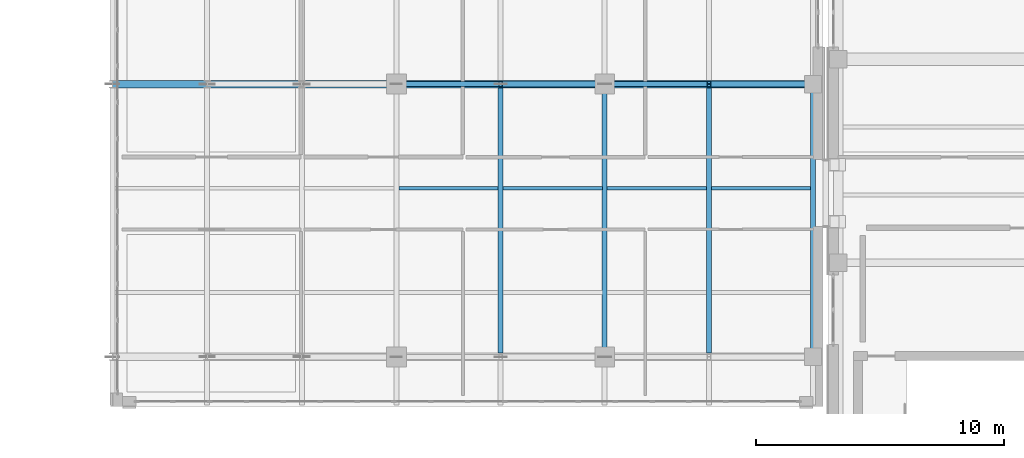
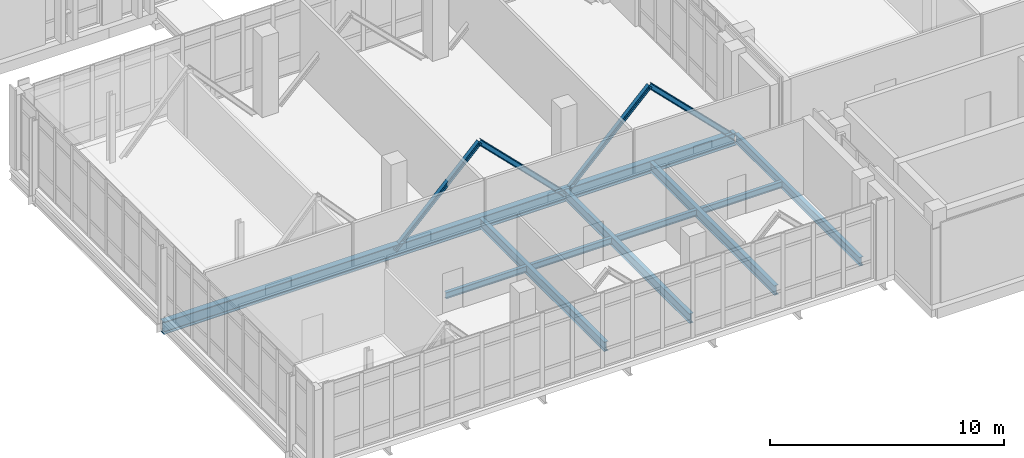
# One storey, part 8 of 158: 9 beams, 4 members.
"""IFC4 building model written with IfcOpenShell, lengths in metres."""

from ifc_helpers import new_model, si_unit, direction, frame, origin, origin_2d, place, context, subcontext, project, spatial, i_section, extrude, material, material_profile, profile_set, type_object, element, save


model = new_model("IFC4")

# Units and contexts
model_context = context("Model", 3, precision=1e-05, world=origin(), true_north=direction((0.0, 1.0)))
body_context = subcontext(model_context, "Body", "Model", "MODEL_VIEW")
ifc_project = project(units=[si_unit("LENGTHUNIT", "METRE"), si_unit("AREAUNIT", "SQUARE_METRE"), si_unit("VOLUMEUNIT", "CUBIC_METRE"), si_unit("PLANEANGLEUNIT", "RADIAN"), si_unit("MASSUNIT", "GRAM", prefix="KILO")], contexts=[model_context])

# Site, building, storey
site_placement = place(None, origin())
site = spatial("IfcSite", under=ifc_project, at=site_placement, CompositionType="ELEMENT")
building_placement = place(site_placement, origin())
building = spatial("IfcBuilding", under=site, at=building_placement, Name="Qalavern Law Courts", CompositionType="ELEMENT")
storey_placement = place(building_placement, frame((0.0, 0.0, 18.60009765625)))
storey = spatial("IfcBuildingStorey", under=building, at=storey_placement, Name="L04", CompositionType="ELEMENT", Elevation=18.60009765625)

# Beams
ifc_material = material(Name="Steel S355", Category="steel")
ifc_material_profile_1 = material_profile(ifc_material, i_section(OverallWidth=0.199951171875, OverallDepth=0.5, WebThickness=0.01025390625, FlangeThickness=0.01611328125, FilletRadius=0.02099609375, at=origin_2d()), Name="IPE 500")
ifc_profile_set_1 = profile_set([ifc_material_profile_1], Name="Steel S355")
beam_type_1 = type_object("IfcBeamType", Name="STR-BM-IPE500", PredefinedType="BEAM", material=ifc_profile_set_1)
for number, where, z_axis, x_axis, name in (
    (1, (29.39990234375, 10.14794921875, -0.530029296875), (0.0, 1.0, 0.0), (-1.0, 0.0, 0.0), "Foyer transverse beam L04-2.2"),
    (2, (25.199951171875, 10.14794921875, -0.530029296875), (0.0, 1.0, 0.0), (-1.0, 0.0, 0.0), "Foyer transverse beam L04-3.2"),
    (3, (21.0, 10.14794921875, -0.530029296875), (0.0, 1.0, 0.0), (-1.0, 0.0, 0.0), "Foyer transverse beam L04-4.2"),
):
    element("IfcBeam", number, at=place(storey_placement, frame(where, z_axis=z_axis, x_axis=x_axis)), inside=storey, type_object=beam_type_1, Name=name, PredefinedType="BEAM", context=body_context, shape_type="SweptSolid", body=[
        extrude(i_section(OverallWidth=0.199951171875, OverallDepth=0.5, WebThickness=0.01025390625, FlangeThickness=0.01611328125, FilletRadius=0.02099609375, at=origin_2d()), origin(), (0.0, 0.0, 1.0), 10.7041015625),
    ])

# Members
ifc_material_profile_2 = material_profile(ifc_material, i_section(OverallWidth=0.199951171875, OverallDepth=0.199951171875, WebThickness=0.009033203125, FlangeThickness=0.014892578125, FilletRadius=0.01806640625, at=origin_2d()), Name="HEB 200")
ifc_profile_set_2 = profile_set([ifc_material_profile_2], Name="Steel S355")
member_type_1 = type_object("IfcMemberType", Name="STR-BR-HEB200", PredefinedType="BRACE", material=ifc_profile_set_2)
for number, where, z_axis, x_axis, name in (
    (4, (29.39990234375, 21.0, 3.578857421875), (-0.708464501441, 0.0, -0.705746448945), (0.0, -1.0, 0.0), "Cantilever truss T2 diagonal L04-2"),
    (5, (21.0, 21.0, 3.578857421875), (-0.708464501441, 0.0, -0.705746448945), (0.0, -1.0, 0.0), "Cantilever truss T2 diagonal L04-4"),
):
    element("IfcMember", number, at=place(storey_placement, frame(where, z_axis=z_axis, x_axis=x_axis)), inside=storey, type_object=member_type_1, Name=name, PredefinedType="BRACE", context=body_context, shape_type="SweptSolid", body=[
        extrude(i_section(OverallWidth=0.199951171875, OverallDepth=0.199951171875, WebThickness=0.009033203125, FlangeThickness=0.014892578125, FilletRadius=0.01806640625, at=origin_2d()), origin(), (0.0, 0.0, 1.0), 5.92822265625),
    ])
ifc_material_profile_3 = material_profile(ifc_material, i_section(OverallWidth=0.239990234375, OverallDepth=0.239990234375, WebThickness=0.010009765625, FlangeThickness=0.01708984375, FilletRadius=0.02099609375, at=origin_2d()), Name="HEB 240")
ifc_profile_set_3 = profile_set([ifc_material_profile_3], Name="Steel S355")
member_type_2 = type_object("IfcMemberType", Name="STR-BR-HEB240", PredefinedType="BRACE", material=ifc_profile_set_3)
member_1_placement = place(storey_placement, frame((33.60009765625, 21.0, -0.60498046875), z_axis=(-0.708485012699, 0.0, 0.705725858093), x_axis=(0.0, -1.0, 0.0)))
element("IfcMember", 6, at=member_1_placement, inside=storey, type_object=member_type_2, Name="Cantilever truss T2 diagonal L04-1", PredefinedType="BRACE", context=body_context, shape_type="SweptSolid", body=[
    extrude(i_section(OverallWidth=0.239990234375, OverallDepth=0.239990234375, WebThickness=0.010009765625, FlangeThickness=0.01708984375, FilletRadius=0.02099609375, at=origin_2d()), origin(), (0.0, 0.0, 1.0), 5.928466796875),
])
member_2_placement = place(storey_placement, frame((25.199951171875, 21.0, -0.60498046875), z_axis=(-0.708464501441, 0.0, 0.705746448945), x_axis=(0.0, -1.0, 0.0)))
element("IfcMember", 7, at=member_2_placement, inside=storey, type_object=member_type_2, Name="Cantilever truss T2 diagonal L04-3", PredefinedType="BRACE", context=body_context, shape_type="SweptSolid", body=[
    extrude(i_section(OverallWidth=0.239990234375, OverallDepth=0.239990234375, WebThickness=0.010009765625, FlangeThickness=0.01708984375, FilletRadius=0.02099609375, at=origin_2d()), origin(), (0.0, 0.0, 1.0), 5.92822265625),
])

# Beams
ifc_material_profile_4 = material_profile(ifc_material, i_section(OverallWidth=0.159912109375, OverallDepth=0.330078125, WebThickness=0.007568359375, FlangeThickness=0.011474609375, FilletRadius=0.01806640625, at=origin_2d()), Name="IPE 330")
ifc_profile_set_4 = profile_set([ifc_material_profile_4], Name="Steel S355")
beam_type_2 = type_object("IfcBeamType", Name="STR-JST-IPE330", PredefinedType="JOIST", material=ifc_profile_set_4)
for number, where, z_axis, x_axis, name in (
    (8, (29.498046875, 16.800048828125, -0.445068359375), (1.0, 0.0, 0.0), (0.0, 1.0, 0.0), "Foyer floor joist L04-1.2"),
    (9, (25.298095703125, 16.800048828125, -0.445068359375), (1.0, 0.0, 0.0), (0.0, 1.0, 0.0), "Foyer floor joist L04-2.2"),
):
    element("IfcBeam", number, at=place(storey_placement, frame(where, z_axis=z_axis, x_axis=x_axis)), inside=storey, type_object=beam_type_2, Name=name, PredefinedType="JOIST", context=body_context, shape_type="SweptSolid", body=[
        extrude(i_section(OverallWidth=0.159912109375, OverallDepth=0.330078125, WebThickness=0.007568359375, FlangeThickness=0.011474609375, FilletRadius=0.01806640625, at=origin_2d()), origin(), (0.0, 0.0, 1.0), 4.00390625),
    ])
for number, where, z_axis, x_axis, name in (
    (10, (21.097900390625, 16.800048828125, -0.445068359375), (1.0, 0.0, 0.0), (0.0, 1.0, 0.0), "Foyer floor joist L04-3.2"),
    (11, (16.89794921875, 16.800048828125, -0.445068359375), (1.0, 0.0, 0.0), (0.0, 1.0, 0.0), "Foyer floor joist L04-4.2"),
):
    element("IfcBeam", number, at=place(storey_placement, frame(where, z_axis=z_axis, x_axis=x_axis)), inside=storey, type_object=beam_type_2, Name=name, PredefinedType="JOIST", context=body_context, shape_type="SweptSolid", body=[
        extrude(i_section(OverallWidth=0.159912109375, OverallDepth=0.330078125, WebThickness=0.007568359375, FlangeThickness=0.011474609375, FilletRadius=0.01806640625, at=origin_2d()), origin(), (0.0, 0.0, 1.0), 4.004150390625),
    ])
ifc_material_profile_5 = material_profile(ifc_material, i_section(OverallWidth=0.18994140625, OverallDepth=0.449951171875, WebThickness=0.009521484375, FlangeThickness=0.0146484375, FilletRadius=0.02099609375, at=origin_2d()), Name="IPE 450")
ifc_profile_set_5 = profile_set([ifc_material_profile_5], Name="Steel S355")
beam_type_3 = type_object("IfcBeamType", Name="STR-SP-IPE450", PredefinedType="SPANDREL", material=ifc_profile_set_5)
beam_1_placement = place(storey_placement, frame((33.60009765625, 10.14794921875, -0.505126953125), z_axis=(0.0, 1.0, 0.0), x_axis=(-1.0, 0.0, 0.0)))
element("IfcBeam", 12, at=beam_1_placement, inside=storey, type_object=beam_type_3, Name="Foyer transverse beam L04-1.2", PredefinedType="SPANDREL", context=body_context, shape_type="SweptSolid", body=[
    extrude(i_section(OverallWidth=0.18994140625, OverallDepth=0.449951171875, WebThickness=0.009521484375, FlangeThickness=0.0146484375, FilletRadius=0.02099609375, at=origin_2d()), origin(), (0.0, 0.0, 1.0), 10.7041015625),
])
ifc_material_profile_6 = material_profile(ifc_material, i_section(OverallWidth=0.300048828125, OverallDepth=0.64990234375, WebThickness=0.01611328125, FlangeThickness=0.031005859375, FilletRadius=0.027099609375, at=origin_2d()), Name="HEB 650")
ifc_profile_set_6 = profile_set([ifc_material_profile_6], Name="Steel S355")
beam_type_4 = type_object("IfcBeamType", Name="STR-TC-HEB650", PredefinedType="BEAM", material=ifc_profile_set_6)
beam_2_placement = place(storey_placement, frame((33.60009765625, 21.0, -0.60498046875), z_axis=(-1.0, 0.0, 0.0), x_axis=(0.0, -1.0, 0.0)))
element("IfcBeam", 13, at=beam_2_placement, inside=storey, type_object=beam_type_4, Name="Cantilever foyer truss T2 continuous chord L04", PredefinedType="BEAM", context=body_context, shape_type="SweptSolid", body=[
    extrude(i_section(OverallWidth=0.300048828125, OverallDepth=0.64990234375, WebThickness=0.01611328125, FlangeThickness=0.031005859375, FilletRadius=0.027099609375, at=origin_2d()), origin(), (0.0, 0.0, 1.0), 28.25),
])

save(model, "model.ifc")
